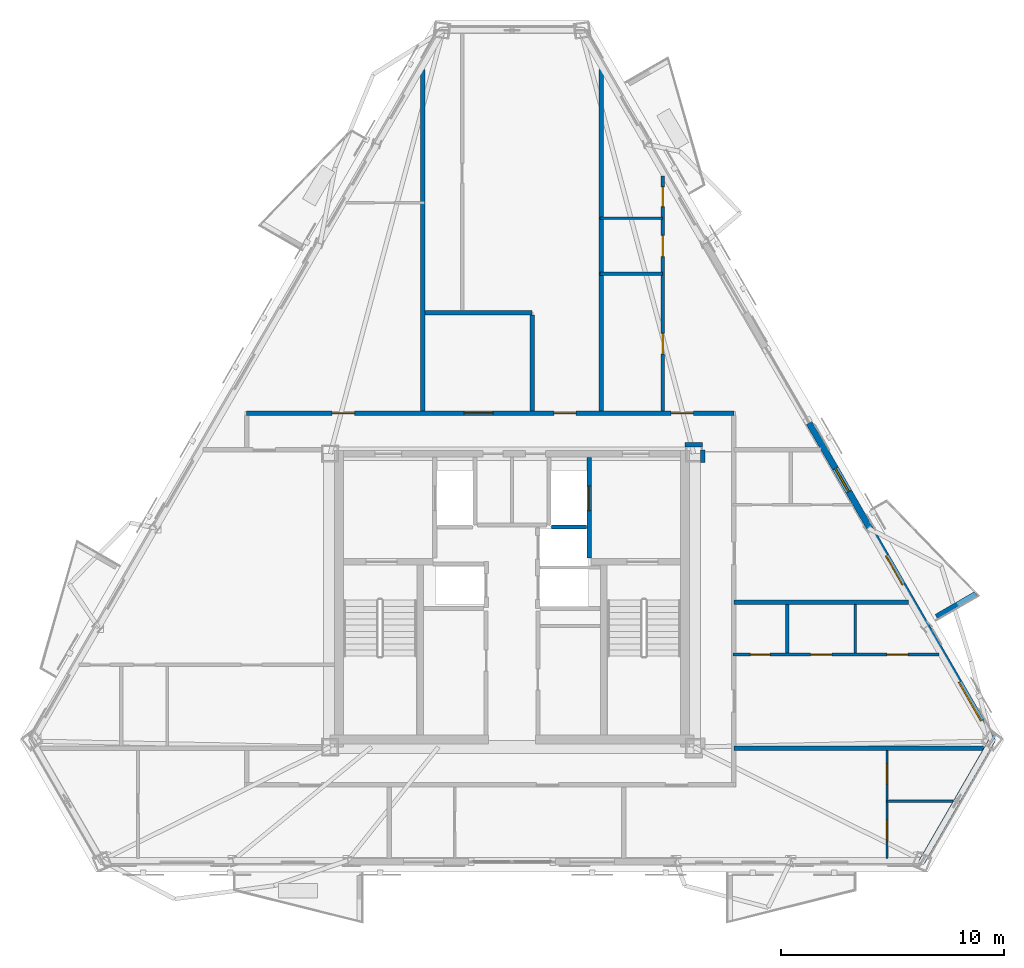
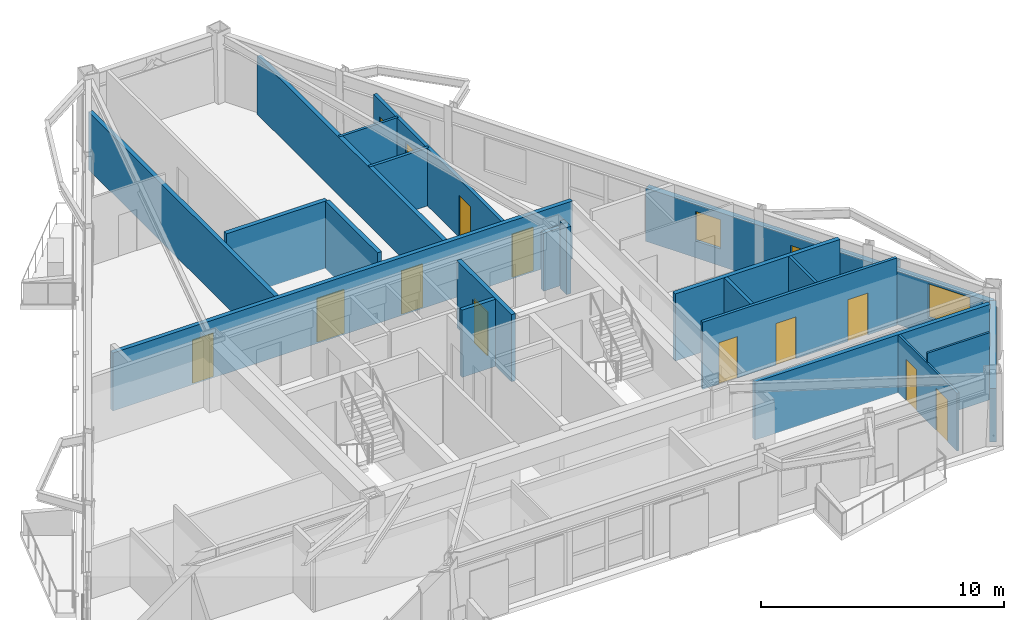
# One storey, part 8 of 12: 22 walls, 14 doors, 2 windows, 16 openings.
"""IFC4 building model written with IfcOpenShell, lengths in metres."""

from ifc_helpers import new_model, si_unit, direction, frame, frame_2d, origin, place, context, subcontext, project, spatial, polyline, rectangle, outline, extrude, material, layer, layer_set, type_object, element, fill, save


model = new_model("IFC4")

# Units and contexts
model_context = context("Model", 3, precision=1e-05, world=origin(), true_north=direction((0.0, 1.0)))
body_context = subcontext(model_context, "Body", "Model", "MODEL_VIEW")
ifc_project = project(units=[si_unit("LENGTHUNIT", "METRE"), si_unit("AREAUNIT", "SQUARE_METRE"), si_unit("VOLUMEUNIT", "CUBIC_METRE"), si_unit("PLANEANGLEUNIT", "RADIAN"), si_unit("MASSUNIT", "GRAM", prefix="KILO")], contexts=[model_context])

# Site, building, storey
site_placement = place(None, origin())
site = spatial("IfcSite", under=ifc_project, at=site_placement, CompositionType="ELEMENT")
building_placement = place(site_placement, origin())
building = spatial("IfcBuilding", under=site, at=building_placement, Name="Oramaril Tower", CompositionType="ELEMENT")
storey_placement = place(building_placement, frame((0.0, 0.0, 227.10009765625)))
storey = spatial("IfcBuildingStorey", under=building, at=storey_placement, Name="L60", CompositionType="ELEMENT", Elevation=227.10009765625)

# Wall
ifc_material_1 = material(Name="Warm Cream Limestone", Category="masonry")
ifc_layer_1 = layer(ifc_material_1, 0.2900390625)
ifc_layer_set_1 = layer_set([ifc_layer_1], Name="WT-EXT29")
wall_type_1 = type_object("IfcWallType", Name="WT-EXT29", PredefinedType="SOLIDWALL", material=ifc_layer_set_1)
wall_1_placement = place(storey_placement, frame((55.870849609375, 5.849365234375, 0.0), z_axis=(0.0, 0.0, 1.0), x_axis=(0.500003697889, 0.866023268797, 0.0)))
element("IfcWall", 1, at=wall_1_placement, inside=storey, type_object=wall_type_1, Name="L60 Tower Limestone Facade Wall 3M", PredefinedType="SOLIDWALL", context=body_context, shape_type="SweptSolid", body=[
    extrude(rectangle(XDim=6.31201171875, YDim=0.2900390625, at=frame_2d((3.156005859375, 0.0))), origin(), (0.0, 0.0, 1.0), 2.677001953125),
])

# Wall, openings, door, windows
wall_2_placement = place(storey_placement, frame((59.02685546875, 11.315673828125, 0.0), z_axis=(0.0, 0.0, 1.0), x_axis=(-0.499999154439, 0.866025891969, 0.0)))
wall_2 = element("IfcWall", 2, at=wall_2_placement, inside=storey, type_object=wall_type_1, Name="L60 Tower Limestone Facade Wall 4L", PredefinedType="SOLIDWALL", context=body_context, shape_type="SweptSolid", body=[
    extrude(rectangle(XDim=16.4208984375, YDim=0.2900390625, at=frame_2d((8.21044921875, 0.0))), origin(), (0.0, 0.0, 1.0), 2.677001953125),
])
opening_1_placement = place(wall_2_placement, frame((8.034423828125, 0.0, 0.0)))
opening_1 = element("IfcOpeningElement", 3, at=opening_1_placement, cuts=wall_2, Name="Opening D-L60-BAL-NE1", PredefinedType="OPENING", context=body_context, shape_type="SweptSolid", body=[
    extrude(rectangle(XDim=1.5, YDim=2.199951171875, at=frame_2d((0.75, 1.10009765625))), frame((0.0, 0.14501953125, 0.0), z_axis=(0.0, -1.0, 0.0), x_axis=(1.0, 0.0, 0.0)), (0.0, 0.0, 1.0), 0.2900390625),
])
opening_2_placement = place(wall_2_placement, frame((0.994873046875, 0.0, 0.85009765625)))
opening_2 = element("IfcOpeningElement", 4, at=opening_2_placement, cuts=wall_2, Name="Opening WN-05", PredefinedType="OPENING", context=body_context, shape_type="SweptSolid", body=[
    extrude(rectangle(XDim=2.0, YDim=1.717041015625, at=frame_2d((1.0, 0.8583984375))), frame((0.0, 0.14501953125, 0.0), z_axis=(0.0, -1.0, 0.0), x_axis=(1.0, 0.0, 0.0)), (0.0, 0.0, 1.0), 0.2900390625),
])
opening_3_placement = place(wall_2_placement, frame((12.85791015625, 0.0, 0.85009765625)))
opening_3 = element("IfcOpeningElement", 5, at=opening_3_placement, cuts=wall_2, Name="Opening WN-09", PredefinedType="OPENING", context=body_context, shape_type="SweptSolid", body=[
    extrude(rectangle(XDim=1.199951171875, YDim=1.47998046875, at=frame_2d((0.60009765625, 0.739990234375))), frame((0.0, 0.14501953125, 0.0), z_axis=(0.0, -1.0, 0.0), x_axis=(1.0, 0.0, 0.0)), (0.0, 0.0, 1.0), 0.2900390625),
])
ifc_material_2 = material(Name="Anodised Aluminium 6063-T6", Category="aluminium")
door_type_1 = type_object("IfcDoorType", Name="DT-BAL", OperationType="NOTDEFINED", PredefinedType="DOOR", material=ifc_material_2)
door_1_placement = place(opening_1_placement, origin())
door_1 = element("IfcDoor", 6, at=door_1_placement, inside=storey, type_object=door_type_1, Name="L60 Balcony Glazed Door L60-BAL-NE1", OperationType="SINGLE_SWING_LEFT", OverallHeight=2.199951171875, OverallWidth=1.5, PredefinedType="DOOR", context=body_context, shape_type="SweptSolid", body=[
    extrude(rectangle(XDim=1.5, YDim=2.199951171875, at=frame_2d((0.75, 1.10009765625))), frame((0.0, 0.02490234375, 0.0), z_axis=(0.0, -1.0, 0.0), x_axis=(1.0, 0.0, 0.0)), (0.0, 0.0, 1.0), 0.050048828125),
])
fill(opening_1, door_1)
ifc_material_3 = material(Name="Coastal Low-E Insulated Glass", Category="glass")
window_type_1 = type_object("IfcWindowType", Name="WNT-05", PartitioningType="SINGLE_PANEL", PredefinedType="WINDOW", material=ifc_material_3)
window_1_placement = place(opening_2_placement, origin())
window_1 = element("IfcWindow", 7, at=window_1_placement, inside=storey, type_object=window_type_1, Name="L60 Chicago Bay Window WN-05", OverallHeight=1.717041015625, OverallWidth=2.0, PartitioningType="SINGLE_PANEL", PredefinedType="WINDOW", context=body_context, shape_type="SweptSolid", body=[
    extrude(rectangle(XDim=2.0, YDim=1.717041015625, at=frame_2d((1.0, 0.8583984375))), frame((0.0, 0.030029296875, 0.0), z_axis=(0.0, -1.0, 0.0), x_axis=(1.0, 0.0, 0.0)), (0.0, 0.0, 1.0), 0.06005859375),
])
fill(opening_2, window_1)
ifc_material_4 = material(Name="Coastal Low-E Insulated Glass", Category="glass")
window_type_2 = type_object("IfcWindowType", Name="WNT-09", PartitioningType="SINGLE_PANEL", PredefinedType="WINDOW", material=ifc_material_4)
window_2_placement = place(opening_3_placement, origin())
window_2 = element("IfcWindow", 8, at=window_2_placement, inside=storey, type_object=window_type_2, Name="L60 Chicago Bay Window WN-09", OverallHeight=1.47998046875, OverallWidth=1.199951171875, PartitioningType="SINGLE_PANEL", PredefinedType="WINDOW", context=body_context, shape_type="SweptSolid", body=[
    extrude(rectangle(XDim=1.199951171875, YDim=1.47998046875, at=frame_2d((0.60009765625, 0.739990234375))), frame((0.0, 0.030029296875, 0.0), z_axis=(0.0, -1.0, 0.0), x_axis=(1.0, 0.0, 0.0)), (0.0, 0.0, 1.0), 0.06005859375),
])
fill(opening_3, window_2)

# Walls
ifc_material_5 = material(Name="Concrete C40/50", Category="concrete")
ifc_layer_2 = layer(ifc_material_5, 0.22998046875)
ifc_layer_set_2 = layer_set([ifc_layer_2], Name="WT-PRP23")
wall_type_2 = type_object("IfcWallType", Name="WT-PRP23", PredefinedType="PARAPET", material=ifc_layer_set_2)
wall_3_placement = place(storey_placement, frame((56.525146484375, 16.844970703125, 0.0), z_axis=(0.0, 0.0, 1.0), x_axis=(0.866012356593, 0.500022597718, 0.0)))
element("IfcWall", 9, at=wall_3_placement, inside=storey, type_object=wall_type_2, Name="L60 Trapezoidal Balcony Frame Cheek L60-BAL-NE1-L", PredefinedType="PARAPET", context=body_context, shape_type="SweptSolid", body=[
    extrude(outline(polyline([(0.0, 0.0), (2.0419921875, 0.0), (2.0419921875, 1.099853515625), (0.0, 1.31982421875), (0.0, 0.0)])), frame((0.0, 0.114990234375, 0.0), z_axis=(0.0, -1.0, 0.0), x_axis=(1.0, 0.0, 0.0)), (0.0, 0.0, 1.0), 0.22998046875),
])
ifc_material_6 = material(Name="Acoustic Gypsum Board Partition")
ifc_layer_3 = layer(ifc_material_6, 0.10009765625)
ifc_layer_set_3 = layer_set([ifc_layer_3], Name="WT-PT10")
wall_type_3 = type_object("IfcWallType", Name="WT-PT10", PredefinedType="PARTITIONING", material=ifc_layer_set_3)
wall_4_placement = place(storey_placement, frame((54.3125, 8.570068359375, 0.0), z_axis=(0.0, 0.0, 1.0), x_axis=(1.0, 0.0, 0.0)))
element("IfcWall", 10, at=wall_4_placement, inside=storey, type_object=wall_type_3, Name="L60 Interior Partition PT-10", PredefinedType="PARTITIONING", context=body_context, shape_type="SweptSolid", body=[
    extrude(rectangle(XDim=2.957275390625, YDim=0.10009765625, at=frame_2d((1.478515625, 0.0))), origin(), (0.0, 0.0, 1.0), 3.3798828125),
])

# Wall, openings, doors
wall_5_placement = place(storey_placement, frame((54.31005859375, 5.998291015625, 0.0), z_axis=(0.0, 0.0, 1.0), x_axis=(0.0, 1.0, 0.0)))
wall_5 = element("IfcWall", 11, at=wall_5_placement, inside=storey, type_object=wall_type_3, Name="L60 Interior Partition PT-10", PredefinedType="PARTITIONING", context=body_context, shape_type="SweptSolid", body=[
    extrude(rectangle(XDim=4.84765625, YDim=0.10009765625, at=frame_2d((2.423828125, 0.0))), origin(), (0.0, 0.0, 1.0), 2.912841796875),
])
opening_4_placement = place(wall_5_placement, frame((0.798828125, 0.0, 0.0)))
opening_4 = element("IfcOpeningElement", 12, at=opening_4_placement, cuts=wall_5, Name="Opening D-L60-26", PredefinedType="OPENING", context=body_context, shape_type="SweptSolid", body=[
    extrude(rectangle(XDim=0.949951171875, YDim=2.10009765625, at=frame_2d((0.47509765625, 1.050048828125))), frame((0.0, 0.050048828125, 0.0), z_axis=(0.0, -1.0, 0.0), x_axis=(1.0, 0.0, 0.0)), (0.0, 0.0, 1.0), 0.10009765625),
])
opening_5_placement = place(wall_5_placement, frame((3.339111328125, 0.0, 0.0)))
opening_5 = element("IfcOpeningElement", 13, at=opening_5_placement, cuts=wall_5, Name="Opening D-L60-27", PredefinedType="OPENING", context=body_context, shape_type="SweptSolid", body=[
    extrude(rectangle(XDim=0.8798828125, YDim=2.080078125, at=frame_2d((0.43994140625, 1.0400390625))), frame((0.0, 0.050048828125, 0.0), z_axis=(0.0, -1.0, 0.0), x_axis=(1.0, 0.0, 0.0)), (0.0, 0.0, 1.0), 0.10009765625),
])
ifc_material_7 = material(Name="FSC Brazilian Freijo Hardwood", Category="wood")
door_type_2 = type_object("IfcDoorType", Name="DT-BATH", OperationType="NOTDEFINED", PredefinedType="DOOR", material=ifc_material_7)
door_2_placement = place(opening_5_placement, origin())
door_2 = element("IfcDoor", 14, at=door_2_placement, inside=storey, type_object=door_type_2, Name="L60 Flat L60-U3 Bathroom Door D-L60-27", OperationType="SINGLE_SWING_LEFT", OverallHeight=2.080078125, OverallWidth=0.8798828125, PredefinedType="DOOR", context=body_context, shape_type="SweptSolid", body=[
    extrude(rectangle(XDim=0.8798828125, YDim=2.080078125, at=frame_2d((0.43994140625, 1.0400390625))), frame((0.0, 0.02490234375, 0.0), z_axis=(0.0, -1.0, 0.0), x_axis=(1.0, 0.0, 0.0)), (0.0, 0.0, 1.0), 0.050048828125),
])
fill(opening_5, door_2)
ifc_material_8 = material(Name="FSC Brazilian Freijo Hardwood", Category="wood")
door_type_3 = type_object("IfcDoorType", Name="DT-STDY", OperationType="NOTDEFINED", PredefinedType="DOOR", material=ifc_material_8)
door_3_placement = place(opening_4_placement, origin())
door_3 = element("IfcDoor", 15, at=door_3_placement, inside=storey, type_object=door_type_3, Name="L60 Flat L60-U3 Kitchen Door D-L60-26", OperationType="SINGLE_SWING_RIGHT", OverallHeight=2.10009765625, OverallWidth=0.949951171875, PredefinedType="DOOR", context=body_context, shape_type="SweptSolid", body=[
    extrude(rectangle(XDim=0.949951171875, YDim=2.10009765625, at=frame_2d((0.47509765625, 1.050048828125))), frame((0.0, 0.02490234375, 0.0), z_axis=(0.0, -1.0, 0.0), x_axis=(1.0, 0.0, 0.0)), (0.0, 0.0, 1.0), 0.050048828125),
])
fill(opening_4, door_3)

# Walls
ifc_material_9 = material(Name="Acoustic Gypsum Board Partition")
ifc_layer_4 = layer(ifc_material_9, 0.1201171875)
ifc_layer_set_4 = layer_set([ifc_layer_4], Name="WT-PT12")
wall_type_4 = type_object("IfcWallType", Name="WT-PT12", PredefinedType="PARTITIONING", material=ifc_layer_set_4)
wall_6_placement = place(storey_placement, frame((41.449951171875, 34.7099609375, 0.0), z_axis=(0.0, 0.0, 1.0), x_axis=(1.0, 0.0, 0.0)))
element("IfcWall", 16, at=wall_6_placement, inside=storey, type_object=wall_type_4, Name="L60 Interior Partition PT-12", PredefinedType="PARTITIONING", context=body_context, shape_type="SweptSolid", body=[
    extrude(rectangle(XDim=2.806884765625, YDim=0.1201171875, at=frame_2d((1.4033203125, 0.0))), origin(), (0.0, 0.0, 1.0), 2.912841796875),
])
wall_7_placement = place(storey_placement, frame((52.889892578125, 15.214111328125, 0.0), z_axis=(0.0, 0.0, 1.0), x_axis=(0.0, 1.0, 0.0)))
element("IfcWall", 17, at=wall_7_placement, inside=storey, type_object=wall_type_4, Name="L60 Interior Partition PT-12", PredefinedType="PARTITIONING", context=body_context, shape_type="SweptSolid", body=[
    extrude(rectangle(XDim=2.181884765625, YDim=0.1201171875, at=frame_2d((1.0908203125, 0.0))), origin(), (0.0, 0.0, 1.0), 3.3798828125),
])

# Wall, openings, doors
ifc_material_10 = material(Name="Acoustic Gypsum Board Partition")
ifc_layer_5 = layer(ifc_material_10, 0.139892578125)
ifc_layer_set_5 = layer_set([ifc_layer_5], Name="WT-PT14")
wall_type_5 = type_object("IfcWallType", Name="WT-PT14", PredefinedType="PARTITIONING", material=ifc_layer_set_5)
wall_8_placement = place(storey_placement, frame((47.39990234375, 15.139892578125, 0.0), z_axis=(0.0, 0.0, 1.0), x_axis=(1.0, 0.0, 0.0)))
wall_8 = element("IfcWall", 18, at=wall_8_placement, inside=storey, type_object=wall_type_5, Name="L60 Interior Partition PT-14", PredefinedType="PARTITIONING", context=body_context, shape_type="SweptSolid", body=[
    extrude(rectangle(XDim=9.246826171875, YDim=0.139892578125, at=frame_2d((4.62353515625, 0.0))), origin(), (0.0, 0.0, 1.0), 3.3798828125),
])
opening_6_placement = place(wall_8_placement, frame((0.78857421875, 0.0, 0.0)))
opening_6 = element("IfcOpeningElement", 19, at=opening_6_placement, cuts=wall_8, Name="Opening D-L60-07", PredefinedType="OPENING", context=body_context, shape_type="SweptSolid", body=[
    extrude(rectangle(XDim=0.8798828125, YDim=2.080078125, at=frame_2d((0.43994140625, 1.0400390625))), frame((0.0, 0.06982421875, 0.0), z_axis=(0.0, -1.0, 0.0), x_axis=(1.0, 0.0, 0.0)), (0.0, 0.0, 1.0), 0.139892578125),
])
opening_7_placement = place(wall_8_placement, frame((3.487060546875, 0.0, 0.0)))
opening_7 = element("IfcOpeningElement", 20, at=opening_7_placement, cuts=wall_8, Name="Opening D-L60-08", PredefinedType="OPENING", context=body_context, shape_type="SweptSolid", body=[
    extrude(rectangle(XDim=0.949951171875, YDim=2.10009765625, at=frame_2d((0.47509765625, 1.050048828125))), frame((0.0, 0.06982421875, 0.0), z_axis=(0.0, -1.0, 0.0), x_axis=(1.0, 0.0, 0.0)), (0.0, 0.0, 1.0), 0.139892578125),
])
opening_8_placement = place(wall_8_placement, frame((6.90576171875, 0.0, 0.0)))
opening_8 = element("IfcOpeningElement", 21, at=opening_8_placement, cuts=wall_8, Name="Opening D-L60-09", PredefinedType="OPENING", context=body_context, shape_type="SweptSolid", body=[
    extrude(rectangle(XDim=0.949951171875, YDim=2.10009765625, at=frame_2d((0.47509765625, 1.050048828125))), frame((0.0, 0.06982421875, 0.0), z_axis=(0.0, -1.0, 0.0), x_axis=(1.0, 0.0, 0.0)), (0.0, 0.0, 1.0), 0.139892578125),
])
door_4_placement = place(opening_6_placement, origin())
door_4 = element("IfcDoor", 22, at=door_4_placement, inside=storey, type_object=door_type_2, Name="L60 Flat L60-U5 Bathroom Door D-L60-07", OperationType="SINGLE_SWING_LEFT", OverallHeight=2.080078125, OverallWidth=0.8798828125, PredefinedType="DOOR", context=body_context, shape_type="SweptSolid", body=[
    extrude(rectangle(XDim=0.8798828125, YDim=2.080078125, at=frame_2d((0.43994140625, 1.0400390625))), frame((0.0, 0.02490234375, 0.0), z_axis=(0.0, -1.0, 0.0), x_axis=(1.0, 0.0, 0.0)), (0.0, 0.0, 1.0), 0.050048828125),
])
fill(opening_6, door_4)
door_5_placement = place(opening_7_placement, origin())
door_5 = element("IfcDoor", 23, at=door_5_placement, inside=storey, type_object=door_type_3, Name="L60 Flat L60-U5 Kitchen Door D-L60-08", OperationType="SINGLE_SWING_RIGHT", OverallHeight=2.10009765625, OverallWidth=0.949951171875, PredefinedType="DOOR", context=body_context, shape_type="SweptSolid", body=[
    extrude(rectangle(XDim=0.949951171875, YDim=2.10009765625, at=frame_2d((0.47509765625, 1.050048828125))), frame((0.0, 0.02490234375, 0.0), z_axis=(0.0, -1.0, 0.0), x_axis=(1.0, 0.0, 0.0)), (0.0, 0.0, 1.0), 0.050048828125),
])
fill(opening_7, door_5)
door_6_placement = place(opening_8_placement, origin())
door_6 = element("IfcDoor", 24, at=door_6_placement, inside=storey, type_object=door_type_3, Name="L60 Flat L60-U5 Breakfast Dining Room Door D-L60-09", OperationType="SINGLE_SWING_LEFT", OverallHeight=2.10009765625, OverallWidth=0.949951171875, PredefinedType="DOOR", context=body_context, shape_type="SweptSolid", body=[
    extrude(rectangle(XDim=0.949951171875, YDim=2.10009765625, at=frame_2d((0.47509765625, 1.050048828125))), frame((0.0, 0.02490234375, 0.0), z_axis=(0.0, -1.0, 0.0), x_axis=(1.0, 0.0, 0.0)), (0.0, 0.0, 1.0), 0.050048828125),
])
fill(opening_8, door_6)

# Wall
wall_9_placement = place(storey_placement, frame((41.449951171875, 32.219970703125, 0.0), z_axis=(0.0, 0.0, 1.0), x_axis=(1.0, 0.0, 0.0)))
element("IfcWall", 25, at=wall_9_placement, inside=storey, type_object=wall_type_5, Name="L60 Interior Partition PT-14", PredefinedType="PARTITIONING", context=body_context, shape_type="SweptSolid", body=[
    extrude(rectangle(XDim=2.806884765625, YDim=0.139892578125, at=frame_2d((1.4033203125, 0.0))), origin(), (0.0, 0.0, 1.0), 2.912841796875),
])

# Wall, openings, doors
ifc_material_11 = material(Name="Acoustic Gypsum Board Partition")
ifc_layer_6 = layer(ifc_material_11, 0.159912109375)
ifc_layer_set_6 = layer_set([ifc_layer_6], Name="WT-PT16")
wall_type_6 = type_object("IfcWallType", Name="WT-PT16", PredefinedType="PARTITIONING", material=ifc_layer_set_6)
wall_10_placement = place(storey_placement, frame((44.260009765625, 26.073974609375, 0.0), z_axis=(0.0, 0.0, 1.0), x_axis=(0.0, 1.0, 0.0)))
wall_10 = element("IfcWall", 26, at=wall_10_placement, inside=storey, type_object=wall_type_6, Name="L60 Interior Partition PT-16", PredefinedType="PARTITIONING", context=body_context, shape_type="SweptSolid", body=[
    extrude(rectangle(XDim=10.520751953125, YDim=0.159912109375, at=frame_2d((5.26025390625, 0.0))), origin(), (0.0, 0.0, 1.0), 2.912841796875),
])
opening_9_placement = place(wall_10_placement, frame((2.548095703125, 0.0, 0.0)))
opening_9 = element("IfcOpeningElement", 27, at=opening_9_placement, cuts=wall_10, Name="Opening D-L60-21", PredefinedType="OPENING", context=body_context, shape_type="SweptSolid", body=[
    extrude(rectangle(XDim=0.919921875, YDim=2.1201171875, at=frame_2d((0.4599609375, 1.06005859375))), frame((0.0, 0.080078125, 0.0), z_axis=(0.0, -1.0, 0.0), x_axis=(1.0, 0.0, 0.0)), (0.0, 0.0, 1.0), 0.159912109375),
])
opening_10_placement = place(wall_10_placement, frame((6.9169921875, 0.0, 0.0)))
opening_10 = element("IfcOpeningElement", 28, at=opening_10_placement, cuts=wall_10, Name="Opening D-L60-22", PredefinedType="OPENING", context=body_context, shape_type="SweptSolid", body=[
    extrude(rectangle(XDim=0.949951171875, YDim=2.10009765625, at=frame_2d((0.47509765625, 1.050048828125))), frame((0.0, 0.080078125, 0.0), z_axis=(0.0, -1.0, 0.0), x_axis=(1.0, 0.0, 0.0)), (0.0, 0.0, 1.0), 0.159912109375),
])
opening_11_placement = place(wall_10_placement, frame((9.154296875, 0.0, 0.0)))
opening_11 = element("IfcOpeningElement", 29, at=opening_11_placement, cuts=wall_10, Name="Opening D-L60-23", PredefinedType="OPENING", context=body_context, shape_type="SweptSolid", body=[
    extrude(rectangle(XDim=0.8798828125, YDim=2.080078125, at=frame_2d((0.43994140625, 1.0400390625))), frame((0.0, 0.080078125, 0.0), z_axis=(0.0, -1.0, 0.0), x_axis=(1.0, 0.0, 0.0)), (0.0, 0.0, 1.0), 0.159912109375),
])
door_7_placement = place(opening_11_placement, origin())
door_7 = element("IfcDoor", 30, at=door_7_placement, inside=storey, type_object=door_type_2, Name="L60 Flat L60-U9 Bathroom Door D-L60-23", OperationType="SINGLE_SWING_LEFT", OverallHeight=2.080078125, OverallWidth=0.8798828125, PredefinedType="DOOR", context=body_context, shape_type="SweptSolid", body=[
    extrude(rectangle(XDim=0.8798828125, YDim=2.080078125, at=frame_2d((0.43994140625, 1.0400390625))), frame((0.0, 0.02490234375, 0.0), z_axis=(0.0, -1.0, 0.0), x_axis=(1.0, 0.0, 0.0)), (0.0, 0.0, 1.0), 0.050048828125),
])
fill(opening_11, door_7)
ifc_material_12 = material(Name="FSC Brazilian Freijo Hardwood", Category="wood")
door_type_4 = type_object("IfcDoorType", Name="DT-BED", OperationType="NOTDEFINED", PredefinedType="DOOR", material=ifc_material_12)
door_8_placement = place(opening_9_placement, origin())
door_8 = element("IfcDoor", 31, at=door_8_placement, inside=storey, type_object=door_type_4, Name="L60 Flat L60-U9 Master Bedroom Door D-L60-21", OperationType="SINGLE_SWING_LEFT", OverallHeight=2.1201171875, OverallWidth=0.919921875, PredefinedType="DOOR", context=body_context, shape_type="SweptSolid", body=[
    extrude(rectangle(XDim=0.919921875, YDim=2.1201171875, at=frame_2d((0.4599609375, 1.06005859375))), frame((0.0, 0.02490234375, 0.0), z_axis=(0.0, -1.0, 0.0), x_axis=(1.0, 0.0, 0.0)), (0.0, 0.0, 1.0), 0.050048828125),
])
fill(opening_9, door_8)
door_9_placement = place(opening_10_placement, origin())
door_9 = element("IfcDoor", 32, at=door_9_placement, inside=storey, type_object=door_type_3, Name="L60 Flat L60-U9 Kitchen Door D-L60-22", OperationType="SINGLE_SWING_RIGHT", OverallHeight=2.10009765625, OverallWidth=0.949951171875, PredefinedType="DOOR", context=body_context, shape_type="SweptSolid", body=[
    extrude(rectangle(XDim=0.949951171875, YDim=2.10009765625, at=frame_2d((0.47509765625, 1.050048828125))), frame((0.0, 0.02490234375, 0.0), z_axis=(0.0, -1.0, 0.0), x_axis=(1.0, 0.0, 0.0)), (0.0, 0.0, 1.0), 0.050048828125),
])
fill(opening_10, door_9)

# Walls
wall_11_placement = place(storey_placement, frame((49.840087890625, 15.214111328125, 0.0), z_axis=(0.0, 0.0, 1.0), x_axis=(0.0, 1.0, 0.0)))
element("IfcWall", 33, at=wall_11_placement, inside=storey, type_object=wall_type_6, Name="L60 Interior Partition PT-16", PredefinedType="PARTITIONING", context=body_context, shape_type="SweptSolid", body=[
    extrude(rectangle(XDim=2.181884765625, YDim=0.159912109375, at=frame_2d((1.0908203125, 0.0))), origin(), (0.0, 0.0, 1.0), 3.3798828125),
])
ifc_material_13 = material(Name="Autoclaved Cellular Concrete Block", Category="concrete")
ifc_layer_7 = layer(ifc_material_13, 0.179931640625)
ifc_layer_set_7 = layer_set([ifc_layer_7], Name="WT-PT18")
wall_type_7 = type_object("IfcWallType", Name="WT-PT18", PredefinedType="PARTITIONING", material=ifc_layer_set_7)
wall_12_placement = place(storey_placement, frame((39.260009765625, 20.860107421875, 0.0), z_axis=(0.0, 0.0, 1.0), x_axis=(1.0, 0.0, 0.0)))
element("IfcWall", 34, at=wall_12_placement, inside=storey, type_object=wall_type_7, Name="L60 FL-2 South Shaft Wall", PredefinedType="PARTITIONING", context=body_context, shape_type="SweptSolid", body=[
    extrude(rectangle(XDim=1.580078125, YDim=0.179931640625, at=frame_2d((0.7900390625, 0.0))), origin(), (0.0, 0.0, 1.0), 3.3798828125),
])
ifc_material_14 = material(Name="Autoclaved Cellular Concrete Block", Category="concrete")
ifc_layer_8 = layer(ifc_material_14, 0.199951171875)
ifc_layer_set_8 = layer_set([ifc_layer_8], Name="WT-PT20")
wall_type_8 = type_object("IfcWallType", Name="WT-PT20", PredefinedType="PARTITIONING", material=ifc_layer_set_8)
wall_13_placement = place(storey_placement, frame((47.449951171875, 10.949951171875, 0.0), z_axis=(0.0, 0.0, 1.0), x_axis=(1.0, 0.0, 0.0)))
element("IfcWall", 35, at=wall_13_placement, inside=storey, type_object=wall_type_8, Name="L60 Interior Partition PT-20", PredefinedType="PARTITIONING", context=body_context, shape_type="SweptSolid", body=[
    extrude(rectangle(XDim=11.1904296875, YDim=0.199951171875, at=frame_2d((5.59521484375, 0.0))), origin(), (0.0, 0.0, 1.0), 2.912841796875),
])
wall_14_placement = place(storey_placement, frame((47.449951171875, 17.5, 0.0), z_axis=(0.0, 0.0, 1.0), x_axis=(1.0, 0.0, 0.0)))
element("IfcWall", 36, at=wall_14_placement, inside=storey, type_object=wall_type_8, Name="L60 Interior Partition PT-20", PredefinedType="PARTITIONING", context=body_context, shape_type="SweptSolid", body=[
    extrude(rectangle(XDim=7.834228515625, YDim=0.199951171875, at=frame_2d((3.9169921875, 0.0))), origin(), (0.0, 0.0, 1.0), 3.3798828125),
])
wall_15_placement = place(storey_placement, frame((45.2548828125, 24.550048828125, 0.0), z_axis=(0.0, 0.0, 1.0), x_axis=(1.0, 0.0, 0.0)))
element("IfcWall", 37, at=wall_15_placement, inside=storey, type_object=wall_type_8, Name="L60 Interior Partition PT-20", PredefinedType="PARTITIONING", context=body_context, shape_type="SweptSolid", body=[
    extrude(rectangle(XDim=0.7900390625, YDim=0.199951171875, at=frame_2d((0.39501953125, 0.0))), origin(), (0.0, 0.0, 1.0), 2.912841796875),
])

# Wall, openings, doors
wall_16_placement = place(storey_placement, frame((25.60009765625, 25.969970703125, 0.0), z_axis=(0.0, 0.0, 1.0), x_axis=(1.0, 0.0, 0.0)))
wall_16 = element("IfcWall", 38, at=wall_16_placement, inside=storey, type_object=wall_type_8, Name="L60 Interior Partition PT-20", PredefinedType="PARTITIONING", context=body_context, shape_type="SweptSolid", body=[
    extrude(rectangle(XDim=21.849853515625, YDim=0.199951171875, at=frame_2d((10.9248046875, 0.0))), origin(), (0.0, 0.0, 1.0), 2.912841796875),
])
opening_12_placement = place(wall_16_placement, frame((3.841064453125, 0.0, 0.0)))
opening_12 = element("IfcOpeningElement", 39, at=opening_12_placement, cuts=wall_16, Name="Opening D-L60-13", PredefinedType="OPENING", context=body_context, shape_type="SweptSolid", body=[
    extrude(rectangle(XDim=1.0, YDim=2.179931640625, at=frame_2d((0.5, 1.08984375))), frame((0.0, 0.10009765625, 0.0), z_axis=(0.0, -1.0, 0.0), x_axis=(1.0, 0.0, 0.0)), (0.0, 0.0, 1.0), 0.199951171875),
])
opening_13_placement = place(wall_16_placement, frame((9.75, 0.0, 0.0)))
opening_13 = element("IfcOpeningElement", 40, at=opening_13_placement, cuts=wall_16, Name="Opening D-L60-14", PredefinedType="OPENING", context=body_context, shape_type="SweptSolid", body=[
    extrude(rectangle(XDim=1.300048828125, YDim=2.199951171875, at=frame_2d((0.64990234375, 1.10009765625))), frame((0.0, 0.10009765625, 0.0), z_axis=(0.0, -1.0, 0.0), x_axis=(1.0, 0.0, 0.0)), (0.0, 0.0, 1.0), 0.199951171875),
])
opening_14_placement = place(wall_16_placement, frame((13.77685546875, 0.0, 0.0)))
opening_14 = element("IfcOpeningElement", 41, at=opening_14_placement, cuts=wall_16, Name="Opening D-L60-15", PredefinedType="OPENING", context=body_context, shape_type="SweptSolid", body=[
    extrude(rectangle(XDim=1.0, YDim=2.179931640625, at=frame_2d((0.5, 1.08984375))), frame((0.0, 0.10009765625, 0.0), z_axis=(0.0, -1.0, 0.0), x_axis=(1.0, 0.0, 0.0)), (0.0, 0.0, 1.0), 0.199951171875),
])
opening_15_placement = place(wall_16_placement, frame((19.0341796875, 0.0, 0.0)))
opening_15 = element("IfcOpeningElement", 42, at=opening_15_placement, cuts=wall_16, Name="Opening D-L60-16", PredefinedType="OPENING", context=body_context, shape_type="SweptSolid", body=[
    extrude(rectangle(XDim=1.0, YDim=2.179931640625, at=frame_2d((0.5, 1.08984375))), frame((0.0, 0.10009765625, 0.0), z_axis=(0.0, -1.0, 0.0), x_axis=(1.0, 0.0, 0.0)), (0.0, 0.0, 1.0), 0.199951171875),
])
ifc_material_15 = material(Name="FSC Brazilian Freijo Hardwood", Category="wood")
door_type_5 = type_object("IfcDoorType", Name="DT-APT", OperationType="NOTDEFINED", PredefinedType="DOOR", material=ifc_material_15)
door_10_placement = place(opening_12_placement, origin())
door_10 = element("IfcDoor", 43, at=door_10_placement, inside=storey, type_object=door_type_5, Name="L60 Flat L60-U7 Kitchen and Studio Apartment Door D-L60-13", OperationType="SINGLE_SWING_LEFT", OverallHeight=2.179931640625, OverallWidth=1.0, PredefinedType="DOOR", context=body_context, shape_type="SweptSolid", body=[
    extrude(rectangle(XDim=1.0, YDim=2.179931640625, at=frame_2d((0.5, 1.08984375))), frame((0.0, 0.02490234375, 0.0), z_axis=(0.0, -1.0, 0.0), x_axis=(1.0, 0.0, 0.0)), (0.0, 0.0, 1.0), 0.050048828125),
])
fill(opening_12, door_10)
door_11_placement = place(opening_14_placement, origin())
door_11 = element("IfcDoor", 44, at=door_11_placement, inside=storey, type_object=door_type_5, Name="L60 Flat L60-U8 Kitchen and Studio Apartment Door D-L60-15", OperationType="SINGLE_SWING_LEFT", OverallHeight=2.179931640625, OverallWidth=1.0, PredefinedType="DOOR", context=body_context, shape_type="SweptSolid", body=[
    extrude(rectangle(XDim=1.0, YDim=2.179931640625, at=frame_2d((0.5, 1.08984375))), frame((0.0, 0.02490234375, 0.0), z_axis=(0.0, -1.0, 0.0), x_axis=(1.0, 0.0, 0.0)), (0.0, 0.0, 1.0), 0.050048828125),
])
fill(opening_14, door_11)
door_12_placement = place(opening_15_placement, origin())
door_12 = element("IfcDoor", 45, at=door_12_placement, inside=storey, type_object=door_type_5, Name="L60 Flat L60-U9 Living and Dining Room Door D-L60-16", OperationType="SINGLE_SWING_RIGHT", OverallHeight=2.179931640625, OverallWidth=1.0, PredefinedType="DOOR", context=body_context, shape_type="SweptSolid", body=[
    extrude(rectangle(XDim=1.0, YDim=2.179931640625, at=frame_2d((0.5, 1.08984375))), frame((0.0, 0.02490234375, 0.0), z_axis=(0.0, -1.0, 0.0), x_axis=(1.0, 0.0, 0.0)), (0.0, 0.0, 1.0), 0.050048828125),
])
fill(opening_15, door_12)
ifc_material_16 = material(Name="FSC Brazilian Freijo Hardwood", Category="wood")
door_type_6 = type_object("IfcDoorType", Name="DT-COM", OperationType="NOTDEFINED", PredefinedType="DOOR", material=ifc_material_16)
door_13_placement = place(opening_13_placement, origin())
door_13 = element("IfcDoor", 46, at=door_13_placement, inside=storey, type_object=door_type_6, Name="L60 L60 Floor Co-Working Office Suite Door D-L60-14", OperationType="SINGLE_SWING_RIGHT", OverallHeight=2.199951171875, OverallWidth=1.300048828125, PredefinedType="DOOR", context=body_context, shape_type="SweptSolid", body=[
    extrude(rectangle(XDim=1.300048828125, YDim=2.199951171875, at=frame_2d((0.64990234375, 1.10009765625))), frame((0.0, 0.02490234375, 0.0), z_axis=(0.0, -1.0, 0.0), x_axis=(1.0, 0.0, 0.0)), (0.0, 0.0, 1.0), 0.050048828125),
])
fill(opening_13, door_13)

# Walls
wall_17_placement = place(storey_placement, frame((33.60009765625, 30.469970703125, 0.0), z_axis=(0.0, 0.0, 1.0), x_axis=(1.0, 0.0, 0.0)))
element("IfcWall", 47, at=wall_17_placement, inside=storey, type_object=wall_type_8, Name="L60 Interior Partition PT-20", PredefinedType="PARTITIONING", context=body_context, shape_type="SweptSolid", body=[
    extrude(rectangle(XDim=4.7998046875, YDim=0.199951171875, at=frame_2d((2.39990234375, 0.0))), origin(), (0.0, 0.0, 1.0), 3.3798828125),
])
wall_18_placement = place(storey_placement, frame((33.5, 26.073974609375, 0.0), z_axis=(0.0, 0.0, 1.0), x_axis=(0.0, 1.0, 0.0)))
element("IfcWall", 48, at=wall_18_placement, inside=storey, type_object=wall_type_8, Name="L60 Interior Partition PT-20", PredefinedType="PARTITIONING", context=body_context, shape_type="SweptSolid", body=[
    extrude(rectangle(XDim=15.30126953125, YDim=0.199951171875, at=frame_2d((7.650634765625, 0.0))), origin(), (0.0, 0.0, 1.0), 2.912841796875),
])
wall_19_placement = place(storey_placement, frame((38.39990234375, 26.073974609375, 0.0), z_axis=(0.0, 0.0, 1.0), x_axis=(0.0, 1.0, 0.0)))
element("IfcWall", 49, at=wall_19_placement, inside=storey, type_object=wall_type_8, Name="L60 Interior Partition PT-20", PredefinedType="PARTITIONING", context=body_context, shape_type="SweptSolid", body=[
    extrude(rectangle(XDim=4.2919921875, YDim=0.199951171875, at=frame_2d((2.14599609375, 0.0))), origin(), (0.0, 0.0, 1.0), 3.3798828125),
])
wall_20_placement = place(storey_placement, frame((41.5, 26.073974609375, 0.0), z_axis=(0.0, 0.0, 1.0), x_axis=(0.0, 1.0, 0.0)))
element("IfcWall", 50, at=wall_20_placement, inside=storey, type_object=wall_type_8, Name="L60 Interior Partition PT-20", PredefinedType="PARTITIONING", context=body_context, shape_type="SweptSolid", body=[
    extrude(rectangle(XDim=15.30126953125, YDim=0.199951171875, at=frame_2d((7.650634765625, 0.0))), origin(), (0.0, 0.0, 1.0), 2.912841796875),
])
wall_21_placement = place(storey_placement, frame((46.050048828125, 23.7548828125, 0.0), z_axis=(0.0, 0.0, 1.0), x_axis=(0.0, 1.0, 0.0)))
element("IfcWall", 51, at=wall_21_placement, inside=storey, type_object=wall_type_8, Name="L60 Interior Partition PT-20", PredefinedType="PARTITIONING", context=body_context, shape_type="SweptSolid", body=[
    extrude(rectangle(XDim=0.565185546875, YDim=0.199951171875, at=frame_2d((0.28271484375, 0.0))), origin(), (0.0, 0.0, 1.0), 3.3798828125),
])

# Wall, opening, door
ifc_material_17 = material(Name="Autoclaved Cellular Concrete Block", Category="concrete")
ifc_layer_9 = layer(ifc_material_17, 0.199951171875)
ifc_layer_set_9 = layer_set([ifc_layer_9], Name="WT-SHF20")
wall_type_9 = type_object("IfcWallType", Name="WT-SHF20", PredefinedType="PARTITIONING", material=ifc_layer_set_9)
wall_22_placement = place(storey_placement, frame((40.9599609375, 19.47998046875, 0.0), z_axis=(0.0, 0.0, 1.0), x_axis=(0.0, 1.0, 0.0)))
wall_22 = element("IfcWall", 52, at=wall_22_placement, inside=storey, type_object=wall_type_9, Name="L60 FL-2 Lobby Shaft Wall", PredefinedType="PARTITIONING", context=body_context, shape_type="SweptSolid", body=[
    extrude(rectangle(XDim=4.5, YDim=0.199951171875, at=frame_2d((2.25, 0.0))), origin(), (0.0, 0.0, 1.0), 3.3798828125),
])
opening_16_placement = place(wall_22_placement, frame((2.1201171875, 0.0, 0.0)))
opening_16 = element("IfcOpeningElement", 53, at=opening_16_placement, cuts=wall_22, Name="Opening LD-L60-FL-2", PredefinedType="OPENING", context=body_context, shape_type="SweptSolid", body=[
    extrude(rectangle(XDim=1.10009765625, YDim=2.199951171875, at=frame_2d((0.550048828125, 1.10009765625))), frame((0.0, 0.10009765625, 0.0), z_axis=(0.0, -1.0, 0.0), x_axis=(1.0, 0.0, 0.0)), (0.0, 0.0, 1.0), 0.199951171875),
])
ifc_material_18 = material(Name="Stainless Steel 316L", Category="steel")
door_type_7 = type_object("IfcDoorType", Name="DT-LD1", OperationType="NOTDEFINED", PredefinedType="DOOR", material=ifc_material_18)
door_14_placement = place(opening_16_placement, origin())
door_14 = element("IfcDoor", 54, at=door_14_placement, inside=storey, type_object=door_type_7, Name="L60 Lift FL-2 Sliding Landing Door", OperationType="SLIDING_TO_RIGHT", OverallHeight=2.199951171875, OverallWidth=1.10009765625, PredefinedType="DOOR", context=body_context, shape_type="SweptSolid", body=[
    extrude(rectangle(XDim=1.10009765625, YDim=2.199951171875, at=frame_2d((0.550048828125, 1.10009765625))), frame((0.0, 0.02490234375, 0.0), z_axis=(0.0, -1.0, 0.0), x_axis=(1.0, 0.0, 0.0)), (0.0, 0.0, 1.0), 0.050048828125),
])
fill(opening_16, door_14)

save(model, "model.ifc")
